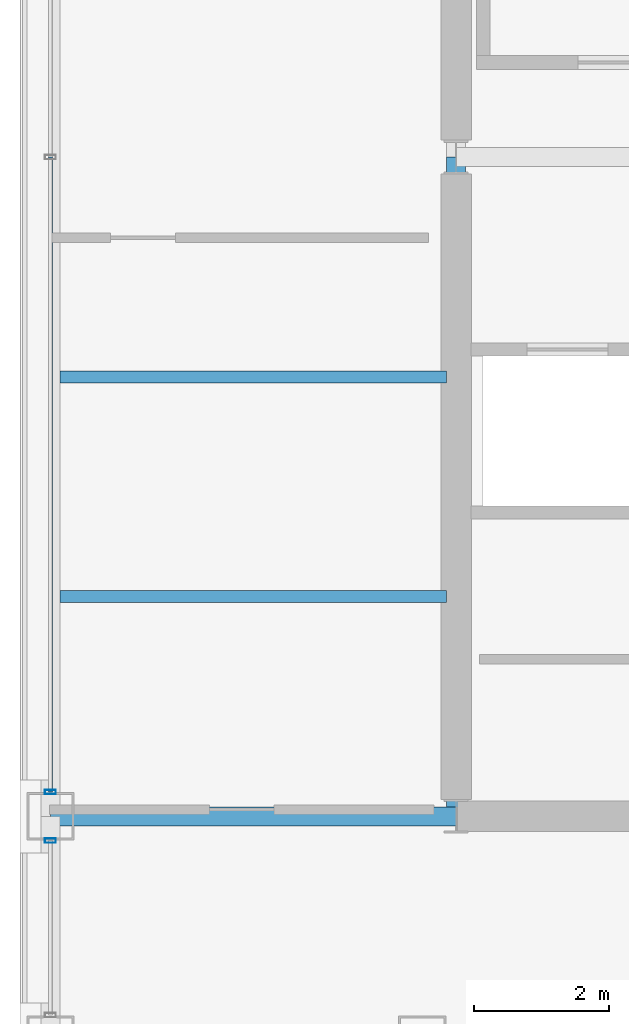
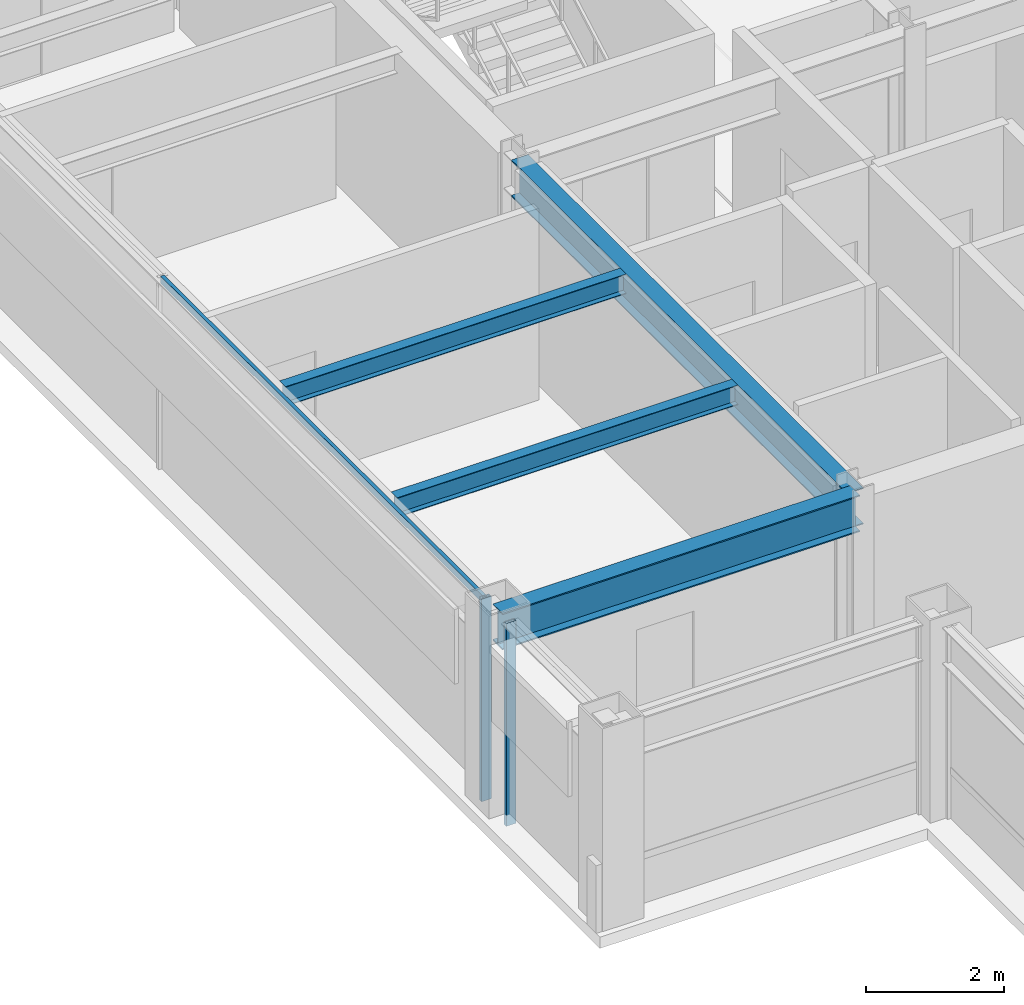
# One storey, part 4 of 28: 4 beams, 3 members, 2 elements without a shape of their own.
"""IFC4 building model written with IfcOpenShell, lengths in metres."""

from ifc_helpers import new_model, si_unit, direction, frame, origin, origin_2d, place, context, subcontext, project, spatial, hollow_rectangle, i_section, extrude, material, layer, layer_set, material_profile, profile_set, type_object, element, aggregate, save


model = new_model("IFC4")

# Units and contexts
model_context = context("Model", 3, precision=1e-05, world=origin(), true_north=direction((0.0, 1.0)))
body_context = subcontext(model_context, "Body", "Model", "MODEL_VIEW")
ifc_project = project(units=[si_unit("LENGTHUNIT", "METRE"), si_unit("AREAUNIT", "SQUARE_METRE"), si_unit("VOLUMEUNIT", "CUBIC_METRE"), si_unit("PLANEANGLEUNIT", "RADIAN"), si_unit("MASSUNIT", "GRAM", prefix="KILO")], contexts=[model_context])

# Site, building, storey
site_placement = place(None, origin())
site = spatial("IfcSite", under=ifc_project, at=site_placement, CompositionType="ELEMENT")
building_placement = place(site_placement, origin())
building = spatial("IfcBuilding", under=site, at=building_placement, Name="Brelmoor Portico Tower", CompositionType="ELEMENT")
storey_placement = place(building_placement, frame((0.0, 0.0, 191.10009765625)))
storey = spatial("IfcBuildingStorey", under=building, at=storey_placement, Name="L50", CompositionType="ELEMENT", Elevation=191.10009765625)

# Beams
ifc_material_1 = material(Name="Steel Q355B", Category="steel")
ifc_material_profile_1 = material_profile(ifc_material_1, i_section(OverallWidth=0.175048828125, OverallDepth=0.35009765625, WebThickness=0.007080078125, FlangeThickness=0.010986328125, at=origin_2d()), Name="HN 350x175x7x11")
ifc_profile_set_1 = profile_set([ifc_material_profile_1], Name="Steel Q355B")
beam_type_1 = type_object("IfcBeamType", Name="BM-JS-350", PredefinedType="JOIST", material=ifc_profile_set_1)
for number, where, z_axis, x_axis, name in (
    (1, (-20.409912109375, -6.5, 3.224853515625), (1.0, 0.0, 0.0), (0.0, 1.0, 0.0), "L50 Secondary Wing Joist JS-W05"),
    (2, (-20.409912109375, -3.25, 3.224853515625), (1.0, 0.0, 0.0), (0.0, 1.0, 0.0), "L50 Secondary Wing Joist JS-W06"),
):
    element("IfcBeam", number, at=place(storey_placement, frame(where, z_axis=z_axis, x_axis=x_axis)), inside=storey, type_object=beam_type_1, Name=name, PredefinedType="JOIST", context=body_context, shape_type="SweptSolid", body=[
        extrude(i_section(OverallWidth=0.175048828125, OverallDepth=0.35009765625, WebThickness=0.007080078125, FlangeThickness=0.010986328125, at=origin_2d()), origin(), (0.0, 0.0, 1.0), 5.719970703125),
    ])
ifc_material_profile_2 = material_profile(ifc_material_1, i_section(OverallWidth=0.280029296875, OverallDepth=0.64990234375, WebThickness=0.012939453125, FlangeThickness=0.02197265625, at=origin_2d()), Name="HN 650x280x13x22")
ifc_profile_set_2 = profile_set([ifc_material_profile_2], Name="Steel Q355B")
beam_type_2 = type_object("IfcBeamType", Name="BM-PG-650", PredefinedType="BEAM", material=ifc_profile_set_2)
beam_1_placement = place(storey_placement, frame((-14.550048828125, -9.75, 3.074951171875), z_axis=(0.0, 1.0, 0.0), x_axis=(-1.0, 0.0, 0.0)))
element("IfcBeam", 3, at=beam_1_placement, inside=storey, type_object=beam_type_2, Name="L50 Primary Floor Girder PG-01", PredefinedType="BEAM", context=body_context, shape_type="SweptSolid", body=[
    extrude(i_section(OverallWidth=0.280029296875, OverallDepth=0.64990234375, WebThickness=0.012939453125, FlangeThickness=0.02197265625, at=origin_2d()), origin(), (0.0, 0.0, 1.0), 9.75),
])
beam_2_placement = place(storey_placement, frame((-20.550048828125, -9.75, 3.074951171875), z_axis=(1.0, 0.0, 0.0), x_axis=(0.0, 1.0, 0.0)))
element("IfcBeam", 4, at=beam_2_placement, inside=storey, type_object=beam_type_2, Name="L50 Primary Floor Girder PG-11", PredefinedType="BEAM", context=body_context, shape_type="SweptSolid", body=[
    extrude(i_section(OverallWidth=0.280029296875, OverallDepth=0.64990234375, WebThickness=0.012939453125, FlangeThickness=0.02197265625, at=origin_2d()), origin(), (0.0, 0.0, 1.0), 6.0),
])

# Curtain wall, member
ifc_material_2 = material(Name="Anodised Aluminium Alloy 6063-T6", Category="aluminium")
ifc_layer = layer(ifc_material_2, 0.179931640625)
ifc_layer_set = layer_set([ifc_layer], Name="Anodised Aluminium Alloy 6063-T6")
curtain_wall_type = type_object("IfcCurtainWallType", Name="CW-TOWER-Z3-XB", PredefinedType="NOTDEFINED", material=ifc_layer_set)
curtain_wall_1_placement = place(storey_placement, origin())
curtain_wall_1 = element("IfcCurtainWall", 5, at=curtain_wall_1_placement, inside=storey, type_object=curtain_wall_type, Name="L50 Curtain Wall CW-L50-03-1", PredefinedType="NOTDEFINED")
ifc_material_profile_3 = material_profile(ifc_material_2, hollow_rectangle(XDim=0.06494140625, YDim=0.1650390625, WallThickness=0.00390625, at=origin_2d()), Name="ALU MULLION 65x165")
ifc_profile_set_3 = profile_set([ifc_material_profile_3], Name="Anodised Aluminium Alloy 6063-T6")
member_type_1 = type_object("IfcMemberType", Name="MB-CW-MULL-165", PredefinedType="MULLION", material=ifc_profile_set_3)
member_1_placement = place(storey_placement, frame((-20.550048828125, -10.110107421875, -0.2001953125), z_axis=(0.0, 0.0, 1.0), x_axis=(0.0, 1.0, 0.0)))
member_1 = element("IfcMember", 6, at=member_1_placement, type_object=member_type_1, Name="CW-L50-03-1 Mullion 01", PredefinedType="MULLION", context=body_context, shape_type="SweptSolid", body=[
    extrude(hollow_rectangle(XDim=0.06494140625, YDim=0.1650390625, WallThickness=0.00390625, at=origin_2d()), origin(), (0.0, 0.0, 1.0), 3.60009765625),
])
aggregate(curtain_wall_1, [member_1])

# Curtain wall, members
curtain_wall_2_placement = place(storey_placement, origin())
curtain_wall_2 = element("IfcCurtainWall", 7, at=curtain_wall_2_placement, inside=storey, type_object=curtain_wall_type, Name="L50 Curtain Wall CW-L50-03-2", PredefinedType="NOTDEFINED")
member_2_placement = place(storey_placement, frame((-20.550048828125, -9.389892578125, -0.2001953125), z_axis=(0.0, 0.0, 1.0), x_axis=(0.0, 1.0, 0.0)))
member_2 = element("IfcMember", 8, at=member_2_placement, type_object=member_type_1, Name="CW-L50-03-2 Mullion 00", PredefinedType="MULLION", context=body_context, shape_type="SweptSolid", body=[
    extrude(hollow_rectangle(XDim=0.06494140625, YDim=0.1650390625, WallThickness=0.00390625, at=origin_2d()), origin(), (0.0, 0.0, 1.0), 3.60009765625),
])
ifc_material_profile_4 = material_profile(ifc_material_2, hollow_rectangle(XDim=0.06005859375, YDim=0.125, WallThickness=0.00341796875, at=origin_2d()), Name="ALU TRANSOM 60x125")
ifc_profile_set_4 = profile_set([ifc_material_profile_4], Name="Anodised Aluminium Alloy 6063-T6")
member_type_2 = type_object("IfcMemberType", Name="MB-CW-TRAN-125", PredefinedType="USERDEFINED", material=ifc_profile_set_4)
member_3_placement = place(storey_placement, frame((-20.550048828125, -9.389892578125, 3.33740234375), z_axis=(0.0, 1.0, 0.0), x_axis=(-1.0, 0.0, 0.0)))
member_3 = element("IfcMember", 9, at=member_3_placement, type_object=member_type_2, Name="CW-L50-03-2 Transom 1-00", ObjectType="TRANSOM", PredefinedType="USERDEFINED", context=body_context, shape_type="SweptSolid", body=[
    extrude(hollow_rectangle(XDim=0.06005859375, YDim=0.125, WallThickness=0.00341796875, at=origin_2d()), origin(), (0.0, 0.0, 1.0), 9.389892578125),
])
aggregate(curtain_wall_2, [member_2, member_3])

save(model, "model.ifc")
